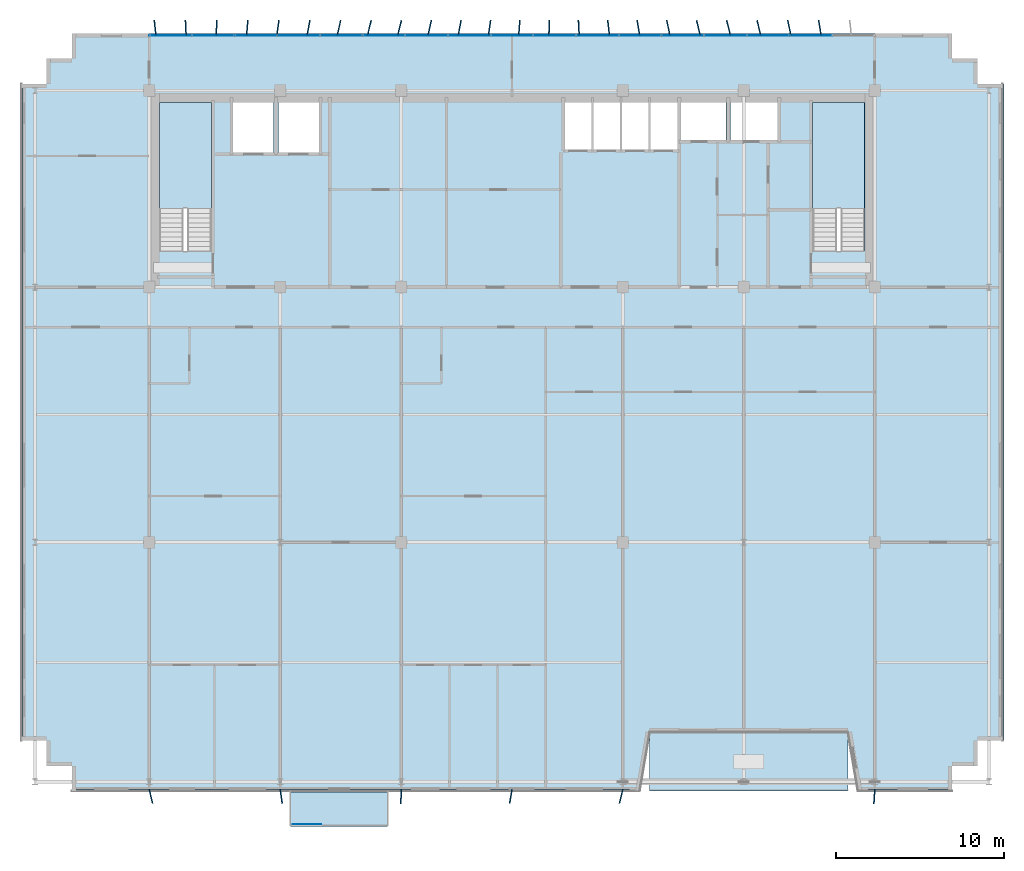
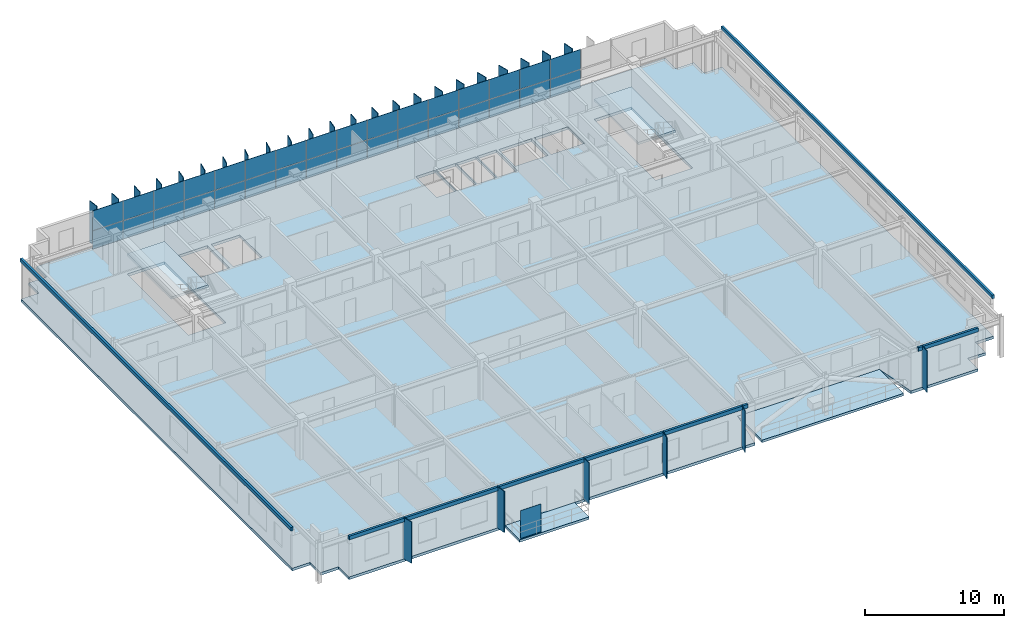
# One storey, part 15 of 23: 66 plates, 5 slabs, 3 elements without a shape of their own.
"""IFC4 building model written with IfcOpenShell, lengths in metres."""

from ifc_helpers import new_model, si_unit, direction, frame, origin, origin_2d, place, context, subcontext, project, spatial, polyline, rectangle, outline, extrude, source, transform, mapped, material, layer, layer_set, type_object, element, aggregate, save


model = new_model("IFC4")

# Units and contexts
model_context = context("Model", 3, precision=1e-05, world=origin(), true_north=direction((0.0, 1.0)))
body_context = subcontext(model_context, "Body", "Model", "MODEL_VIEW")
ifc_project = project(units=[si_unit("LENGTHUNIT", "METRE"), si_unit("AREAUNIT", "SQUARE_METRE"), si_unit("VOLUMEUNIT", "CUBIC_METRE"), si_unit("PLANEANGLEUNIT", "RADIAN"), si_unit("MASSUNIT", "GRAM", prefix="KILO")], contexts=[model_context])

# Site, building, storey
site_placement = place(None, origin())
site = spatial("IfcSite", under=ifc_project, at=site_placement, CompositionType="ELEMENT")
building_placement = place(site_placement, origin())
building = spatial("IfcBuilding", under=site, at=building_placement, Name="Trelvane Seafront Commons", CompositionType="ELEMENT")
storey_placement = place(building_placement, frame((0.0, 0.0, 230.10009765625)))
storey = spatial("IfcBuildingStorey", under=building, at=storey_placement, Name="L60", CompositionType="ELEMENT", Elevation=230.10009765625)

# Slab
ifc_material_1 = material(Name="Concrete C40/50", Category="concrete")
ifc_layer_1 = layer(ifc_material_1, 0.219970703125, Name="ARCH-BALC-220")
ifc_layer_set_1 = layer_set([ifc_layer_1], Name="Concrete C40/50")
slab_type_1 = type_object("IfcSlabType", Name="ARCH-BALC-220", PredefinedType="FLOOR", material=ifc_layer_set_1)
slab_1_placement = place(storey_placement, frame((0.0, 0.0, -0.22021484375)))
element("IfcSlab", 1, at=slab_1_placement, inside=storey, type_object=slab_type_1, Name="L60 Cantilevered Tree Balcony Loggia 2", PredefinedType="FLOOR", context=body_context, shape_type="SweptSolid", body=[
    extrude(outline(polyline([(24.0, 1.300048828125), (29.800048828125, 1.300048828125), (29.800048828125, 3.39990234375), (24.0, 3.39990234375), (24.0, 1.300048828125)])), origin(), (0.0, 0.0, 1.0), 0.22021484375),
])

# Stair, slab
stair_type_1 = type_object("IfcStairType", Name="ARCH-STR-ST-1-R20-180", PredefinedType="HALF_TURN_STAIR", material=ifc_material_1)
stair_1_placement = place(storey_placement, origin())
stair_1 = element("IfcStair", 2, at=stair_1_placement, inside=storey, type_object=stair_type_1, Name="L60 West Protected Firefighting Exit Stair ST-1", PredefinedType="HALF_TURN_STAIR")
ifc_layer_2 = layer(ifc_material_1, 0.199951171875, Name="ARCH-LND-200")
ifc_layer_set_2 = layer_set([ifc_layer_2], Name="Concrete C40/50")
slab_type_2 = type_object("IfcSlabType", Name="ARCH-LND-200", PredefinedType="LANDING", material=ifc_layer_set_2)
slab_2_placement = place(storey_placement, frame((0.0, 0.0, 1.599853515625)))
slab_2 = element("IfcSlab", 3, at=slab_2_placement, type_object=slab_type_2, Name="ST-1 landing 1", PredefinedType="LANDING", context=body_context, shape_type="SweptSolid", body=[
    extrude(outline(polyline([(19.300048828125, 38.070068359375), (19.300048828125, 44.39990234375), (16.199951171875, 44.39990234375), (16.199951171875, 38.070068359375), (19.300048828125, 38.070068359375)])), origin(), (0.0, 0.0, 1.0), 0.199951171875),
])
aggregate(stair_1, [slab_2])

stair_type_2 = type_object("IfcStairType", Name="ARCH-STR-ST-2-R20-180", PredefinedType="HALF_TURN_STAIR", material=ifc_material_1)
stair_2_placement = place(storey_placement, origin())
stair_2 = element("IfcStair", 4, at=stair_2_placement, inside=storey, type_object=stair_type_2, Name="L60 East Protected Firefighting Exit Stair ST-2", PredefinedType="HALF_TURN_STAIR")
slab_3_placement = place(storey_placement, frame((0.0, 0.0, 1.599853515625)))
slab_3 = element("IfcSlab", 5, at=slab_3_placement, type_object=slab_type_2, Name="ST-2 landing 1", PredefinedType="LANDING", context=body_context, shape_type="SweptSolid", body=[
    extrude(outline(polyline([(58.199951171875, 38.070068359375), (58.199951171875, 44.39990234375), (55.10009765625, 44.39990234375), (55.10009765625, 38.070068359375), (58.199951171875, 38.070068359375)])), origin(), (0.0, 0.0, 1.0), 0.199951171875),
])
aggregate(stair_2, [slab_3])

# Slabs
ifc_layer_3 = layer(ifc_material_1, 0.2099609375, Name="ARCH-TERR-210")
ifc_layer_set_3 = layer_set([ifc_layer_3], Name="Concrete C40/50")
slab_type_3 = type_object("IfcSlabType", Name="ARCH-TERR-210", PredefinedType="FLOOR", material=ifc_layer_set_3)
slab_4_placement = place(storey_placement, frame((0.0, 0.0, -0.210205078125)))
element("IfcSlab", 6, at=slab_4_placement, inside=storey, type_object=slab_type_3, Name="L60 V-Notched Sky Garden Terrace Slab", PredefinedType="FLOOR", context=body_context, shape_type="SweptSolid", body=[
    extrude(outline(polyline([(45.39990234375, 3.39990234375), (57.199951171875, 3.39990234375), (57.199951171875, 6.89990234375), (45.39990234375, 6.89990234375), (45.39990234375, 3.39990234375)])), origin(), (0.0, 0.0, 1.0), 0.210205078125),
])
ifc_material_2 = material(Name="Concrete C50/60", Category="concrete")
ifc_layer_4 = layer(ifc_material_2, 0.239990234375, Name="STR-SLB-Z4-240")
ifc_layer_set_4 = layer_set([ifc_layer_4], Name="Concrete C50/60")
slab_type_4 = type_object("IfcSlabType", Name="STR-SLB-Z4-240", PredefinedType="FLOOR", material=ifc_layer_set_4)
slab_5_placement = place(storey_placement, frame((0.0, 0.0, -0.239990234375)))
element("IfcSlab", 7, at=slab_5_placement, inside=storey, type_object=slab_type_4, Name="L60 Structural Floor Slab", PredefinedType="FLOOR", context=body_context, shape_type="SweptSolid", body=[
    extrude(outline(polyline([(11.0, 3.39990234375), (44.800048828125, 3.39990234375), (45.39990234375, 6.89990234375), (57.199951171875, 6.89990234375), (57.800048828125, 3.39990234375), (63.39990234375, 3.39990234375), (63.39990234375, 4.89990234375), (64.89990234375, 4.89990234375), (64.89990234375, 6.39990234375), (66.39990234375, 6.39990234375), (66.39990234375, 45.5), (64.89990234375, 45.5), (64.89990234375, 47.0), (63.39990234375, 47.0), (63.39990234375, 48.5), (11.0, 48.5), (11.0, 47.0), (9.5, 47.0), (9.5, 45.5), (8.0, 45.5), (8.0, 6.39990234375), (9.5, 6.39990234375), (9.5, 4.89990234375), (11.0, 4.89990234375), (11.0, 3.39990234375)]), holes=[polyline([(19.300048828125, 35.550048828125), (16.199951171875, 35.550048828125), (16.199951171875, 44.39990234375), (19.300048828125, 44.39990234375), (19.300048828125, 35.550048828125)]), polyline([(58.199951171875, 35.550048828125), (55.10009765625, 35.550048828125), (55.10009765625, 44.39990234375), (58.199951171875, 44.39990234375), (58.199951171875, 35.550048828125)]), polyline([(23.0, 41.39990234375), (20.60009765625, 41.39990234375), (20.60009765625, 44.60009765625), (23.0, 44.60009765625), (23.0, 41.39990234375)]), polyline([(23.300048828125, 41.39990234375), (23.300048828125, 44.60009765625), (25.699951171875, 44.60009765625), (25.699951171875, 41.39990234375), (23.300048828125, 41.39990234375)]), polyline([(40.35009765625, 41.60009765625), (40.35009765625, 44.60009765625), (41.969970703125, 44.60009765625), (41.969970703125, 41.60009765625), (40.35009765625, 41.60009765625)]), polyline([(43.669921875, 41.60009765625), (42.050048828125, 41.60009765625), (42.050048828125, 44.60009765625), (43.669921875, 44.60009765625), (43.669921875, 41.60009765625)]), polyline([(45.3701171875, 41.60009765625), (43.75, 41.60009765625), (43.75, 44.60009765625), (45.3701171875, 44.60009765625), (45.3701171875, 41.60009765625)]), polyline([(47.070068359375, 41.60009765625), (45.449951171875, 41.60009765625), (45.449951171875, 44.60009765625), (47.070068359375, 44.60009765625), (47.070068359375, 41.60009765625)]), polyline([(47.25, 42.14990234375), (47.25, 44.550048828125), (49.949951171875, 44.550048828125), (49.949951171875, 42.14990234375), (47.25, 42.14990234375)]), polyline([(50.199951171875, 42.14990234375), (50.199951171875, 44.550048828125), (53.0, 44.550048828125), (53.0, 42.14990234375), (50.199951171875, 42.14990234375)])]), origin(), (0.0, 0.0, 1.0), 0.239990234375),
])

# Plates
ifc_material_3 = material(Name="Perforated anodised aluminium screen", Category="aluminium")
ifc_layer_5 = layer(ifc_material_3, 0.01611328125, Name="ARCH-PLATE-SCREEN")
ifc_layer_set_5 = layer_set([ifc_layer_5], Name="Perforated anodised aluminium screen")
plate_type_1 = type_object("IfcPlateType", Name="ARCH-PLATE-SCREEN", PredefinedType="USERDEFINED", material=ifc_layer_set_5)
shared_shape_1 = source(origin(), body_context, "Body", "SweptSolid", [
    extrude(rectangle(XDim=1.681884765625, YDim=0.01611328125, at=origin_2d()), origin(), (0.0, 0.0, 1.0), 2.449951171875),
])
plate_1_placement = place(storey_placement, frame((24.990966796875, 1.419921875, 0.0), z_axis=(0.0, 0.0, 1.0), x_axis=(1.0, 0.0, 0.0)))
element("IfcPlate", 8, at=plate_1_placement, inside=storey, type_object=plate_type_1, Name="SCR-L60-00211", ObjectType="SCREEN", PredefinedType="USERDEFINED", context=body_context, shape_type="MappedRepresentation", body=[
    mapped(shared_shape_1, transform((0.0, 0.0, 0.0), x_axis=(1.0, 0.0, 0.0), y_axis=(0.0, 1.0, 0.0), z_axis=(0.0, 0.0, 1.0), scale=1.0)),
])
ifc_material_4 = material(Name="Anodised pale-silver aluminium", Category="aluminium")
ifc_layer_6 = layer(ifc_material_4, 0.06005859375, Name="ARCH-PLATE-FIN900")
ifc_layer_set_6 = layer_set([ifc_layer_6], Name="Anodised pale-silver aluminium")
plate_type_2 = type_object("IfcPlateType", Name="ARCH-PLATE-FIN900", PredefinedType="USERDEFINED", material=ifc_layer_set_6)
shared_shape_2 = source(origin(), body_context, "Body", "SweptSolid", [
    extrude(rectangle(XDim=0.89990234375, YDim=0.06005859375, at=origin_2d()), origin(), (0.0, 0.0, 1.0), 3.639892578125),
])
for number, where, z_axis, x_axis, name in (
    (9, (15.95068359375, 48.847412109375, -0.02001953125), (0.0, 0.0, 1.0), (-0.109663184456, 0.993968805333, 0.0), "FIN-L60-01666"),
    (10, (17.77880859375, 48.849609375, -0.02001953125), (0.0, 0.0, 1.0), (-0.046890269035, 0.998900046386, 0.0), "FIN-L60-01667"),
    (11, (19.60888671875, 48.849853515625, -0.02001953125), (0.0, 0.0, 1.0), (0.019556912719, 0.999808745293, 0.0), "FIN-L60-01668"),
    (12, (21.43798828125, 48.848388671875, -0.02001953125), (0.0, 0.0, 1.0), (0.084443070163, 0.99642830545, 0.0), "FIN-L60-01669"),
    (13, (23.26416015625, 48.845458984375, -0.02001953125), (0.0, 0.0, 1.0), (0.142774040947, 0.989755309777, 0.0), "FIN-L60-01670"),
    (14, (25.085693359375, 48.841796875, -0.02001953125), (0.0, 0.0, 1.0), (0.190216171748, 0.981742230937, 0.0), "FIN-L60-01671"),
    (15, (26.900390625, 48.838623046875, -0.02001953125), (0.0, 0.0, 1.0), (0.223324971639, 0.974744046939, 0.0), "FIN-L60-01672"),
    (16, (28.7080078125, 48.8369140625, -0.02001953125), (0.0, 0.0, 1.0), (0.240104362477, 0.970747080922, 0.0), "FIN-L60-01673"),
    (17, (30.5078125, 48.8369140625, -0.02001953125), (0.0, 0.0, 1.0), (0.239345254729, 0.970934523559, 0.0), "FIN-L60-01674"),
    (18, (32.299560546875, 48.8388671875, -0.02001953125), (0.0, 0.0, 1.0), (0.221116178863, 0.975247473949, 0.0), "FIN-L60-01675"),
    (19, (34.083984375, 48.842041015625, -0.02001953125), (0.0, 0.0, 1.0), (0.186662924797, 0.982424018694, 0.0), "FIN-L60-01676"),
    (20, (35.862060546875, 48.845703125, -0.02001953125), (0.0, 0.0, 1.0), (0.138106632329, 0.990417365612, 0.0), "FIN-L60-01677"),
    (21, (37.635498046875, 48.8486328125, -0.02001953125), (0.0, 0.0, 1.0), (0.078998468403, 0.996874737362, 0.0), "FIN-L60-01678"),
    (22, (39.40625, 48.849853515625, -0.02001953125), (0.0, 0.0, 1.0), (0.013777193234, 0.999905089969, 0.0), "FIN-L60-01679"),
    (23, (41.176513671875, 48.849365234375, -0.02001953125), (0.0, 0.0, 1.0), (-0.052442275124, 0.998623957143, 0.0), "FIN-L60-01680"),
    (24, (42.948486328125, 48.846923828125, -0.02001953125), (0.0, 0.0, 1.0), (-0.114661477826, 0.993404623254, 0.0), "FIN-L60-01681"),
    (25, (44.724365234375, 48.843505859375, -0.02001953125), (0.0, 0.0, 1.0), (-0.168000771791, 0.985786863717, 0.0), "FIN-L60-01682"),
    (26, (46.506103515625, 48.840087890625, -0.02001953125), (0.0, 0.0, 1.0), (-0.20866449978, 0.97798728342, 0.0), "FIN-L60-01683"),
    (27, (48.294921875, 48.83740234375, -0.02001953125), (0.0, 0.0, 1.0), (-0.233898465705, 0.972261028603, 0.0), "FIN-L60-01684"),
    (28, (50.091064453125, 48.836669921875, -0.02001953125), (0.0, 0.0, 1.0), (-0.241881251735, 0.970305859025, 0.0), "FIN-L60-01685"),
    (29, (51.8955078125, 48.837646484375, -0.02001953125), (0.0, 0.0, 1.0), (-0.232326817057, 0.972637779482, 0.0), "FIN-L60-01686"),
    (30, (53.70751953125, 48.84033203125, -0.02001953125), (0.0, 0.0, 1.0), (-0.205785750571, 0.978597069719, 0.0), "FIN-L60-01687"),
    (31, (55.5263671875, 48.843994140625, -0.02001953125), (0.0, 0.0, 1.0), (-0.163894159894, 0.986477928974, 0.0), "FIN-L60-01688"),
):
    element("IfcPlate", number, at=place(storey_placement, frame(where, z_axis=z_axis, x_axis=x_axis)), inside=storey, type_object=plate_type_2, Name=name, ObjectType="FIN", PredefinedType="USERDEFINED", context=body_context, shape_type="MappedRepresentation", body=[
        mapped(shared_shape_2, transform((0.0, 0.0, 0.0), x_axis=(1.0, 0.0, 0.0), y_axis=(0.0, 1.0, 0.0), z_axis=(0.0, 0.0, 1.0), scale=1.0)),
    ])
shared_shape_3 = source(origin(), body_context, "Body", "SweptSolid", [
    extrude(rectangle(XDim=0.85009765625, YDim=0.06005859375, at=origin_2d()), origin(), (0.0, 0.0, 1.0), 3.639892578125),
])
for number, where, z_axis, x_axis, name in (
    (32, (15.7001953125, 3.0869140625, -0.02001953125), (0.0, 0.0, 1.0), (0.235525479385, -0.971868174477, 0.0), "FIN-S-L60-01690"),
    (33, (23.46142578125, 3.07958984375, -0.02001953125), (0.0, 0.0, 1.0), (0.144829395712, -0.989456641869, 0.0), "FIN-S-L60-01691"),
    (34, (30.593505859375, 3.0751953125, -0.02001953125), (0.0, 0.0, 1.0), (-0.015293723977, -0.999883044164, 0.0), "FIN-S-L60-01692"),
    (35, (37.128662109375, 3.0810546875, -0.02001953125), (0.0, 0.0, 1.0), (-0.168004212835, -0.985786277278, 0.0), "FIN-S-L60-01693"),
    (36, (43.69775390625, 3.08740234375, -0.02001953125), (0.0, 0.0, 1.0), (-0.240597365012, -0.970625008924, 0.0), "FIN-S-L60-01694"),
    (37, (58.771484375, 3.075927734375, -0.02001953125), (0.0, 0.0, 1.0), (-0.067174224708, -0.997741260816, 0.0), "FIN-S-L60-01695"),
):
    element("IfcPlate", number, at=place(storey_placement, frame(where, z_axis=z_axis, x_axis=x_axis)), inside=storey, type_object=plate_type_2, Name=name, ObjectType="FIN", PredefinedType="USERDEFINED", context=body_context, shape_type="MappedRepresentation", body=[
        mapped(shared_shape_3, transform((0.0, 0.0, 0.0), x_axis=(1.0, 0.0, 0.0), y_axis=(0.0, 1.0, 0.0), z_axis=(0.0, 0.0, 1.0), scale=1.0)),
    ])

# Curtain wall, plates
curtain_wall_type = type_object("IfcCurtainWallType", Name="ARCH-CW5-UPTOWER", PredefinedType="NOTDEFINED", material=ifc_material_4)
curtain_wall_placement = place(storey_placement, origin())
curtain_wall = element("IfcCurtainWall", 38, at=curtain_wall_placement, inside=storey, type_object=curtain_wall_type, Name="CW-L60-0103", PredefinedType="NOTDEFINED")
ifc_material_5 = material(Name="Low-E coastal double glazing", Category="glass")
ifc_layer_7 = layer(ifc_material_5, 0.033935546875, Name="ARCH-CW-GLAZ-34")
ifc_layer_set_7 = layer_set([ifc_layer_7], Name="Low-E coastal double glazing")
plate_type_3 = type_object("IfcPlateType", Name="ARCH-CW-GLAZ-34", PredefinedType="CURTAIN_PANEL", material=ifc_layer_set_7)
shared_shape_4 = source(origin(), body_context, "Body", "SweptSolid", [
    extrude(rectangle(XDim=2.51708984375, YDim=0.033935546875, at=origin_2d()), origin(), (0.0, 0.0, 1.0), 1.594970703125),
])
plate_2_placement = place(storey_placement, frame((16.87060546875, 48.3701171875, 0.0), z_axis=(0.0, 0.0, 1.0), x_axis=(1.0, 0.0, 0.0)))
plate_2 = element("IfcPlate", 39, at=plate_2_placement, type_object=plate_type_3, Name="CW-L60-0103-P00-1", PredefinedType="CURTAIN_PANEL", context=body_context, shape_type="MappedRepresentation", body=[
    mapped(shared_shape_4, transform((0.0, 0.0, 0.0), x_axis=(1.0, 0.0, 0.0), y_axis=(0.0, 1.0, 0.0), z_axis=(0.0, 0.0, 1.0), scale=1.0)),
])
plate_3_placement = place(storey_placement, frame((19.411865234375, 48.3701171875, 0.0), z_axis=(0.0, 0.0, 1.0), x_axis=(1.0, 0.0, 0.0)))
plate_3 = element("IfcPlate", 40, at=plate_3_placement, type_object=plate_type_3, Name="CW-L60-0103-P01-1", PredefinedType="CURTAIN_PANEL", context=body_context, shape_type="MappedRepresentation", body=[
    mapped(shared_shape_4, transform((0.0, 0.0, 0.0), x_axis=(1.0, 0.0, 0.0), y_axis=(0.0, 1.0, 0.0), z_axis=(0.0, 0.0, 1.0), scale=1.0)),
])
plate_4_placement = place(storey_placement, frame((21.952880859375, 48.3701171875, 0.0), z_axis=(0.0, 0.0, 1.0), x_axis=(1.0, 0.0, 0.0)))
plate_4 = element("IfcPlate", 41, at=plate_4_placement, type_object=plate_type_3, Name="CW-L60-0103-P02-1", PredefinedType="CURTAIN_PANEL", context=body_context, shape_type="MappedRepresentation", body=[
    mapped(shared_shape_4, transform((0.0, 0.0, 0.0), x_axis=(1.0, 0.0, 0.0), y_axis=(0.0, 1.0, 0.0), z_axis=(0.0, 0.0, 1.0), scale=1.0)),
])
plate_5_placement = place(storey_placement, frame((24.494140625, 48.3701171875, 0.0), z_axis=(0.0, 0.0, 1.0), x_axis=(1.0, 0.0, 0.0)))
plate_5 = element("IfcPlate", 42, at=plate_5_placement, type_object=plate_type_3, Name="CW-L60-0103-P03-1", PredefinedType="CURTAIN_PANEL", context=body_context, shape_type="MappedRepresentation", body=[
    mapped(shared_shape_4, transform((0.0, 0.0, 0.0), x_axis=(1.0, 0.0, 0.0), y_axis=(0.0, 1.0, 0.0), z_axis=(0.0, 0.0, 1.0), scale=1.0)),
])
plate_6_placement = place(storey_placement, frame((27.035400390625, 48.3701171875, 0.0), z_axis=(0.0, 0.0, 1.0), x_axis=(1.0, 0.0, 0.0)))
plate_6 = element("IfcPlate", 43, at=plate_6_placement, type_object=plate_type_3, Name="CW-L60-0103-P04-1", PredefinedType="CURTAIN_PANEL", context=body_context, shape_type="MappedRepresentation", body=[
    mapped(shared_shape_4, transform((0.0, 0.0, 0.0), x_axis=(1.0, 0.0, 0.0), y_axis=(0.0, 1.0, 0.0), z_axis=(0.0, 0.0, 1.0), scale=1.0)),
])
plate_7_placement = place(storey_placement, frame((29.576416015625, 48.3701171875, 0.0), z_axis=(0.0, 0.0, 1.0), x_axis=(1.0, 0.0, 0.0)))
plate_7 = element("IfcPlate", 44, at=plate_7_placement, type_object=plate_type_3, Name="CW-L60-0103-P05-1", PredefinedType="CURTAIN_PANEL", context=body_context, shape_type="MappedRepresentation", body=[
    mapped(shared_shape_4, transform((0.0, 0.0, 0.0), x_axis=(1.0, 0.0, 0.0), y_axis=(0.0, 1.0, 0.0), z_axis=(0.0, 0.0, 1.0), scale=1.0)),
])
plate_8_placement = place(storey_placement, frame((32.11767578125, 48.3701171875, 0.0), z_axis=(0.0, 0.0, 1.0), x_axis=(1.0, 0.0, 0.0)))
plate_8 = element("IfcPlate", 45, at=plate_8_placement, type_object=plate_type_3, Name="CW-L60-0103-P06-1", PredefinedType="CURTAIN_PANEL", context=body_context, shape_type="MappedRepresentation", body=[
    mapped(shared_shape_4, transform((0.0, 0.0, 0.0), x_axis=(1.0, 0.0, 0.0), y_axis=(0.0, 1.0, 0.0), z_axis=(0.0, 0.0, 1.0), scale=1.0)),
])
plate_9_placement = place(storey_placement, frame((34.65869140625, 48.3701171875, 0.0), z_axis=(0.0, 0.0, 1.0), x_axis=(1.0, 0.0, 0.0)))
plate_9 = element("IfcPlate", 46, at=plate_9_placement, type_object=plate_type_3, Name="CW-L60-0103-P07-1", PredefinedType="CURTAIN_PANEL", context=body_context, shape_type="MappedRepresentation", body=[
    mapped(shared_shape_4, transform((0.0, 0.0, 0.0), x_axis=(1.0, 0.0, 0.0), y_axis=(0.0, 1.0, 0.0), z_axis=(0.0, 0.0, 1.0), scale=1.0)),
])
plate_10_placement = place(storey_placement, frame((37.199951171875, 48.3701171875, 0.0), z_axis=(0.0, 0.0, 1.0), x_axis=(1.0, 0.0, 0.0)))
plate_10 = element("IfcPlate", 47, at=plate_10_placement, type_object=plate_type_3, Name="CW-L60-0103-P08-1", PredefinedType="CURTAIN_PANEL", context=body_context, shape_type="MappedRepresentation", body=[
    mapped(shared_shape_4, transform((0.0, 0.0, 0.0), x_axis=(1.0, 0.0, 0.0), y_axis=(0.0, 1.0, 0.0), z_axis=(0.0, 0.0, 1.0), scale=1.0)),
])
plate_11_placement = place(storey_placement, frame((39.7412109375, 48.3701171875, 0.0), z_axis=(0.0, 0.0, 1.0), x_axis=(1.0, 0.0, 0.0)))
plate_11 = element("IfcPlate", 48, at=plate_11_placement, type_object=plate_type_3, Name="CW-L60-0103-P09-1", PredefinedType="CURTAIN_PANEL", context=body_context, shape_type="MappedRepresentation", body=[
    mapped(shared_shape_4, transform((0.0, 0.0, 0.0), x_axis=(1.0, 0.0, 0.0), y_axis=(0.0, 1.0, 0.0), z_axis=(0.0, 0.0, 1.0), scale=1.0)),
])
plate_12_placement = place(storey_placement, frame((42.282470703125, 48.3701171875, 0.0), z_axis=(0.0, 0.0, 1.0), x_axis=(1.0, 0.0, 0.0)))
plate_12 = element("IfcPlate", 49, at=plate_12_placement, type_object=plate_type_3, Name="CW-L60-0103-P10-1", PredefinedType="CURTAIN_PANEL", context=body_context, shape_type="MappedRepresentation", body=[
    mapped(shared_shape_4, transform((0.0, 0.0, 0.0), x_axis=(1.0, 0.0, 0.0), y_axis=(0.0, 1.0, 0.0), z_axis=(0.0, 0.0, 1.0), scale=1.0)),
])
plate_13_placement = place(storey_placement, frame((44.823486328125, 48.3701171875, 0.0), z_axis=(0.0, 0.0, 1.0), x_axis=(1.0, 0.0, 0.0)))
plate_13 = element("IfcPlate", 50, at=plate_13_placement, type_object=plate_type_3, Name="CW-L60-0103-P11-1", PredefinedType="CURTAIN_PANEL", context=body_context, shape_type="MappedRepresentation", body=[
    mapped(shared_shape_4, transform((0.0, 0.0, 0.0), x_axis=(1.0, 0.0, 0.0), y_axis=(0.0, 1.0, 0.0), z_axis=(0.0, 0.0, 1.0), scale=1.0)),
])
plate_14_placement = place(storey_placement, frame((47.36474609375, 48.3701171875, 0.0), z_axis=(0.0, 0.0, 1.0), x_axis=(1.0, 0.0, 0.0)))
plate_14 = element("IfcPlate", 51, at=plate_14_placement, type_object=plate_type_3, Name="CW-L60-0103-P12-1", PredefinedType="CURTAIN_PANEL", context=body_context, shape_type="MappedRepresentation", body=[
    mapped(shared_shape_4, transform((0.0, 0.0, 0.0), x_axis=(1.0, 0.0, 0.0), y_axis=(0.0, 1.0, 0.0), z_axis=(0.0, 0.0, 1.0), scale=1.0)),
])
plate_15_placement = place(storey_placement, frame((49.906005859375, 48.3701171875, 0.0), z_axis=(0.0, 0.0, 1.0), x_axis=(1.0, 0.0, 0.0)))
plate_15 = element("IfcPlate", 52, at=plate_15_placement, type_object=plate_type_3, Name="CW-L60-0103-P13-1", PredefinedType="CURTAIN_PANEL", context=body_context, shape_type="MappedRepresentation", body=[
    mapped(shared_shape_4, transform((0.0, 0.0, 0.0), x_axis=(1.0, 0.0, 0.0), y_axis=(0.0, 1.0, 0.0), z_axis=(0.0, 0.0, 1.0), scale=1.0)),
])
plate_16_placement = place(storey_placement, frame((52.447021484375, 48.3701171875, 0.0), z_axis=(0.0, 0.0, 1.0), x_axis=(1.0, 0.0, 0.0)))
plate_16 = element("IfcPlate", 53, at=plate_16_placement, type_object=plate_type_3, Name="CW-L60-0103-P14-1", PredefinedType="CURTAIN_PANEL", context=body_context, shape_type="MappedRepresentation", body=[
    mapped(shared_shape_4, transform((0.0, 0.0, 0.0), x_axis=(1.0, 0.0, 0.0), y_axis=(0.0, 1.0, 0.0), z_axis=(0.0, 0.0, 1.0), scale=1.0)),
])
plate_17_placement = place(storey_placement, frame((54.98828125, 48.3701171875, 0.0), z_axis=(0.0, 0.0, 1.0), x_axis=(1.0, 0.0, 0.0)))
plate_17 = element("IfcPlate", 54, at=plate_17_placement, type_object=plate_type_3, Name="CW-L60-0103-P15-1", PredefinedType="CURTAIN_PANEL", context=body_context, shape_type="MappedRepresentation", body=[
    mapped(shared_shape_4, transform((0.0, 0.0, 0.0), x_axis=(1.0, 0.0, 0.0), y_axis=(0.0, 1.0, 0.0), z_axis=(0.0, 0.0, 1.0), scale=1.0)),
])
shared_shape_5 = source(origin(), body_context, "Body", "SweptSolid", [
    extrude(rectangle(XDim=2.51708984375, YDim=0.033935546875, at=origin_2d()), origin(), (0.0, 0.0, 1.0), 1.72900390625),
])
plate_18_placement = place(storey_placement, frame((16.87060546875, 48.3701171875, 1.630859375), z_axis=(0.0, 0.0, 1.0), x_axis=(1.0, 0.0, 0.0)))
plate_18 = element("IfcPlate", 55, at=plate_18_placement, type_object=plate_type_3, Name="CW-L60-0103-P00-2", PredefinedType="CURTAIN_PANEL", context=body_context, shape_type="MappedRepresentation", body=[
    mapped(shared_shape_5, transform((0.0, 0.0, 0.0), x_axis=(1.0, 0.0, 0.0), y_axis=(0.0, 1.0, 0.0), z_axis=(0.0, 0.0, 1.0), scale=1.0)),
])
plate_19_placement = place(storey_placement, frame((19.411865234375, 48.3701171875, 1.630859375), z_axis=(0.0, 0.0, 1.0), x_axis=(1.0, 0.0, 0.0)))
plate_19 = element("IfcPlate", 56, at=plate_19_placement, type_object=plate_type_3, Name="CW-L60-0103-P01-2", PredefinedType="CURTAIN_PANEL", context=body_context, shape_type="MappedRepresentation", body=[
    mapped(shared_shape_5, transform((0.0, 0.0, 0.0), x_axis=(1.0, 0.0, 0.0), y_axis=(0.0, 1.0, 0.0), z_axis=(0.0, 0.0, 1.0), scale=1.0)),
])
plate_20_placement = place(storey_placement, frame((21.952880859375, 48.3701171875, 1.630859375), z_axis=(0.0, 0.0, 1.0), x_axis=(1.0, 0.0, 0.0)))
plate_20 = element("IfcPlate", 57, at=plate_20_placement, type_object=plate_type_3, Name="CW-L60-0103-P02-2", PredefinedType="CURTAIN_PANEL", context=body_context, shape_type="MappedRepresentation", body=[
    mapped(shared_shape_5, transform((0.0, 0.0, 0.0), x_axis=(1.0, 0.0, 0.0), y_axis=(0.0, 1.0, 0.0), z_axis=(0.0, 0.0, 1.0), scale=1.0)),
])
plate_21_placement = place(storey_placement, frame((24.494140625, 48.3701171875, 1.630859375), z_axis=(0.0, 0.0, 1.0), x_axis=(1.0, 0.0, 0.0)))
plate_21 = element("IfcPlate", 58, at=plate_21_placement, type_object=plate_type_3, Name="CW-L60-0103-P03-2", PredefinedType="CURTAIN_PANEL", context=body_context, shape_type="MappedRepresentation", body=[
    mapped(shared_shape_5, transform((0.0, 0.0, 0.0), x_axis=(1.0, 0.0, 0.0), y_axis=(0.0, 1.0, 0.0), z_axis=(0.0, 0.0, 1.0), scale=1.0)),
])
plate_22_placement = place(storey_placement, frame((27.035400390625, 48.3701171875, 1.630859375), z_axis=(0.0, 0.0, 1.0), x_axis=(1.0, 0.0, 0.0)))
plate_22 = element("IfcPlate", 59, at=plate_22_placement, type_object=plate_type_3, Name="CW-L60-0103-P04-2", PredefinedType="CURTAIN_PANEL", context=body_context, shape_type="MappedRepresentation", body=[
    mapped(shared_shape_5, transform((0.0, 0.0, 0.0), x_axis=(1.0, 0.0, 0.0), y_axis=(0.0, 1.0, 0.0), z_axis=(0.0, 0.0, 1.0), scale=1.0)),
])
plate_23_placement = place(storey_placement, frame((29.576416015625, 48.3701171875, 1.630859375), z_axis=(0.0, 0.0, 1.0), x_axis=(1.0, 0.0, 0.0)))
plate_23 = element("IfcPlate", 60, at=plate_23_placement, type_object=plate_type_3, Name="CW-L60-0103-P05-2", PredefinedType="CURTAIN_PANEL", context=body_context, shape_type="MappedRepresentation", body=[
    mapped(shared_shape_5, transform((0.0, 0.0, 0.0), x_axis=(1.0, 0.0, 0.0), y_axis=(0.0, 1.0, 0.0), z_axis=(0.0, 0.0, 1.0), scale=1.0)),
])
plate_24_placement = place(storey_placement, frame((32.11767578125, 48.3701171875, 1.630859375), z_axis=(0.0, 0.0, 1.0), x_axis=(1.0, 0.0, 0.0)))
plate_24 = element("IfcPlate", 61, at=plate_24_placement, type_object=plate_type_3, Name="CW-L60-0103-P06-2", PredefinedType="CURTAIN_PANEL", context=body_context, shape_type="MappedRepresentation", body=[
    mapped(shared_shape_5, transform((0.0, 0.0, 0.0), x_axis=(1.0, 0.0, 0.0), y_axis=(0.0, 1.0, 0.0), z_axis=(0.0, 0.0, 1.0), scale=1.0)),
])
plate_25_placement = place(storey_placement, frame((34.65869140625, 48.3701171875, 1.630859375), z_axis=(0.0, 0.0, 1.0), x_axis=(1.0, 0.0, 0.0)))
plate_25 = element("IfcPlate", 62, at=plate_25_placement, type_object=plate_type_3, Name="CW-L60-0103-P07-2", PredefinedType="CURTAIN_PANEL", context=body_context, shape_type="MappedRepresentation", body=[
    mapped(shared_shape_5, transform((0.0, 0.0, 0.0), x_axis=(1.0, 0.0, 0.0), y_axis=(0.0, 1.0, 0.0), z_axis=(0.0, 0.0, 1.0), scale=1.0)),
])
plate_26_placement = place(storey_placement, frame((37.199951171875, 48.3701171875, 1.630859375), z_axis=(0.0, 0.0, 1.0), x_axis=(1.0, 0.0, 0.0)))
plate_26 = element("IfcPlate", 63, at=plate_26_placement, type_object=plate_type_3, Name="CW-L60-0103-P08-2", PredefinedType="CURTAIN_PANEL", context=body_context, shape_type="MappedRepresentation", body=[
    mapped(shared_shape_5, transform((0.0, 0.0, 0.0), x_axis=(1.0, 0.0, 0.0), y_axis=(0.0, 1.0, 0.0), z_axis=(0.0, 0.0, 1.0), scale=1.0)),
])
plate_27_placement = place(storey_placement, frame((39.7412109375, 48.3701171875, 1.630859375), z_axis=(0.0, 0.0, 1.0), x_axis=(1.0, 0.0, 0.0)))
plate_27 = element("IfcPlate", 64, at=plate_27_placement, type_object=plate_type_3, Name="CW-L60-0103-P09-2", PredefinedType="CURTAIN_PANEL", context=body_context, shape_type="MappedRepresentation", body=[
    mapped(shared_shape_5, transform((0.0, 0.0, 0.0), x_axis=(1.0, 0.0, 0.0), y_axis=(0.0, 1.0, 0.0), z_axis=(0.0, 0.0, 1.0), scale=1.0)),
])
plate_28_placement = place(storey_placement, frame((42.282470703125, 48.3701171875, 1.630859375), z_axis=(0.0, 0.0, 1.0), x_axis=(1.0, 0.0, 0.0)))
plate_28 = element("IfcPlate", 65, at=plate_28_placement, type_object=plate_type_3, Name="CW-L60-0103-P10-2", PredefinedType="CURTAIN_PANEL", context=body_context, shape_type="MappedRepresentation", body=[
    mapped(shared_shape_5, transform((0.0, 0.0, 0.0), x_axis=(1.0, 0.0, 0.0), y_axis=(0.0, 1.0, 0.0), z_axis=(0.0, 0.0, 1.0), scale=1.0)),
])
plate_29_placement = place(storey_placement, frame((44.823486328125, 48.3701171875, 1.630859375), z_axis=(0.0, 0.0, 1.0), x_axis=(1.0, 0.0, 0.0)))
plate_29 = element("IfcPlate", 66, at=plate_29_placement, type_object=plate_type_3, Name="CW-L60-0103-P11-2", PredefinedType="CURTAIN_PANEL", context=body_context, shape_type="MappedRepresentation", body=[
    mapped(shared_shape_5, transform((0.0, 0.0, 0.0), x_axis=(1.0, 0.0, 0.0), y_axis=(0.0, 1.0, 0.0), z_axis=(0.0, 0.0, 1.0), scale=1.0)),
])
plate_30_placement = place(storey_placement, frame((47.36474609375, 48.3701171875, 1.630859375), z_axis=(0.0, 0.0, 1.0), x_axis=(1.0, 0.0, 0.0)))
plate_30 = element("IfcPlate", 67, at=plate_30_placement, type_object=plate_type_3, Name="CW-L60-0103-P12-2", PredefinedType="CURTAIN_PANEL", context=body_context, shape_type="MappedRepresentation", body=[
    mapped(shared_shape_5, transform((0.0, 0.0, 0.0), x_axis=(1.0, 0.0, 0.0), y_axis=(0.0, 1.0, 0.0), z_axis=(0.0, 0.0, 1.0), scale=1.0)),
])
plate_31_placement = place(storey_placement, frame((49.906005859375, 48.3701171875, 1.630859375), z_axis=(0.0, 0.0, 1.0), x_axis=(1.0, 0.0, 0.0)))
plate_31 = element("IfcPlate", 68, at=plate_31_placement, type_object=plate_type_3, Name="CW-L60-0103-P13-2", PredefinedType="CURTAIN_PANEL", context=body_context, shape_type="MappedRepresentation", body=[
    mapped(shared_shape_5, transform((0.0, 0.0, 0.0), x_axis=(1.0, 0.0, 0.0), y_axis=(0.0, 1.0, 0.0), z_axis=(0.0, 0.0, 1.0), scale=1.0)),
])
plate_32_placement = place(storey_placement, frame((52.447021484375, 48.3701171875, 1.630859375), z_axis=(0.0, 0.0, 1.0), x_axis=(1.0, 0.0, 0.0)))
plate_32 = element("IfcPlate", 69, at=plate_32_placement, type_object=plate_type_3, Name="CW-L60-0103-P14-2", PredefinedType="CURTAIN_PANEL", context=body_context, shape_type="MappedRepresentation", body=[
    mapped(shared_shape_5, transform((0.0, 0.0, 0.0), x_axis=(1.0, 0.0, 0.0), y_axis=(0.0, 1.0, 0.0), z_axis=(0.0, 0.0, 1.0), scale=1.0)),
])
plate_33_placement = place(storey_placement, frame((54.98828125, 48.3701171875, 1.630859375), z_axis=(0.0, 0.0, 1.0), x_axis=(1.0, 0.0, 0.0)))
plate_33 = element("IfcPlate", 70, at=plate_33_placement, type_object=plate_type_3, Name="CW-L60-0103-P15-2", PredefinedType="CURTAIN_PANEL", context=body_context, shape_type="MappedRepresentation", body=[
    mapped(shared_shape_5, transform((0.0, 0.0, 0.0), x_axis=(1.0, 0.0, 0.0), y_axis=(0.0, 1.0, 0.0), z_axis=(0.0, 0.0, 1.0), scale=1.0)),
])
aggregate(curtain_wall, [plate_2, plate_18, plate_3, plate_19, plate_4, plate_20, plate_5, plate_21, plate_6, plate_22, plate_7, plate_23, plate_8, plate_24, plate_9, plate_25, plate_10, plate_26, plate_11, plate_27, plate_12, plate_28, plate_13, plate_29, plate_14, plate_30, plate_15, plate_31, plate_16, plate_32, plate_17, plate_33])

# Plates
ifc_layer_8 = layer(ifc_material_4, 0.179931640625, Name="ARCH-PLATE-AERO")
ifc_layer_set_8 = layer_set([ifc_layer_8], Name="Anodised pale-silver aluminium")
plate_type_4 = type_object("IfcPlateType", Name="ARCH-PLATE-AERO", PredefinedType="SHEET", material=ifc_layer_set_8)
shared_shape_6 = source(origin(), body_context, "Body", "SweptSolid", [
    extrude(rectangle(XDim=39.10009765625, YDim=0.179931640625, at=origin_2d()), origin(), (0.0, 0.0, 1.0), 0.320068359375),
])
for number, where, z_axis, x_axis, name in (
    (71, (8.0, 25.949951171875, 3.2998046875), (0.0, 0.0, 1.0), (0.0, 1.0, 0.0), "AER-L60-00209"),
    (72, (66.39990234375, 25.949951171875, 3.2998046875), (0.0, 0.0, 1.0), (0.0, -1.0, 0.0), "AER-L60-00210"),
):
    element("IfcPlate", number, at=place(storey_placement, frame(where, z_axis=z_axis, x_axis=x_axis)), inside=storey, type_object=plate_type_4, Name=name, PredefinedType="SHEET", context=body_context, shape_type="MappedRepresentation", body=[
        mapped(shared_shape_6, transform((0.0, 0.0, 0.0), x_axis=(1.0, 0.0, 0.0), y_axis=(0.0, 1.0, 0.0), z_axis=(0.0, 0.0, 1.0), scale=1.0)),
    ])
shared_shape_7 = source(origin(), body_context, "Body", "SweptSolid", [
    extrude(rectangle(XDim=33.199951171875, YDim=0.179931640625, at=origin_2d()), origin(), (0.0, 0.0, 1.0), 0.320068359375),
])
plate_34_placement = place(storey_placement, frame((27.60009765625, 3.43994140625, 3.2998046875), z_axis=(0.0, 0.0, 1.0), x_axis=(-1.0, 0.0, 0.0)))
element("IfcPlate", 73, at=plate_34_placement, inside=storey, type_object=plate_type_4, Name="AER-S-L60-00212", PredefinedType="SHEET", context=body_context, shape_type="MappedRepresentation", body=[
    mapped(shared_shape_7, transform((0.0, 0.0, 0.0), x_axis=(1.0, 0.0, 0.0), y_axis=(0.0, 1.0, 0.0), z_axis=(0.0, 0.0, 1.0), scale=1.0)),
])
shared_shape_8 = source(origin(), body_context, "Body", "SweptSolid", [
    extrude(rectangle(XDim=5.0, YDim=0.179931640625, at=origin_2d()), origin(), (0.0, 0.0, 1.0), 0.320068359375),
])
plate_35_placement = place(storey_placement, frame((60.89990234375, 3.43994140625, 3.2998046875), z_axis=(0.0, 0.0, 1.0), x_axis=(-1.0, 0.0, 0.0)))
element("IfcPlate", 74, at=plate_35_placement, inside=storey, type_object=plate_type_4, Name="AER-S-L60-00213", PredefinedType="SHEET", context=body_context, shape_type="MappedRepresentation", body=[
    mapped(shared_shape_8, transform((0.0, 0.0, 0.0), x_axis=(1.0, 0.0, 0.0), y_axis=(0.0, 1.0, 0.0), z_axis=(0.0, 0.0, 1.0), scale=1.0)),
])

save(model, "model.ifc")
